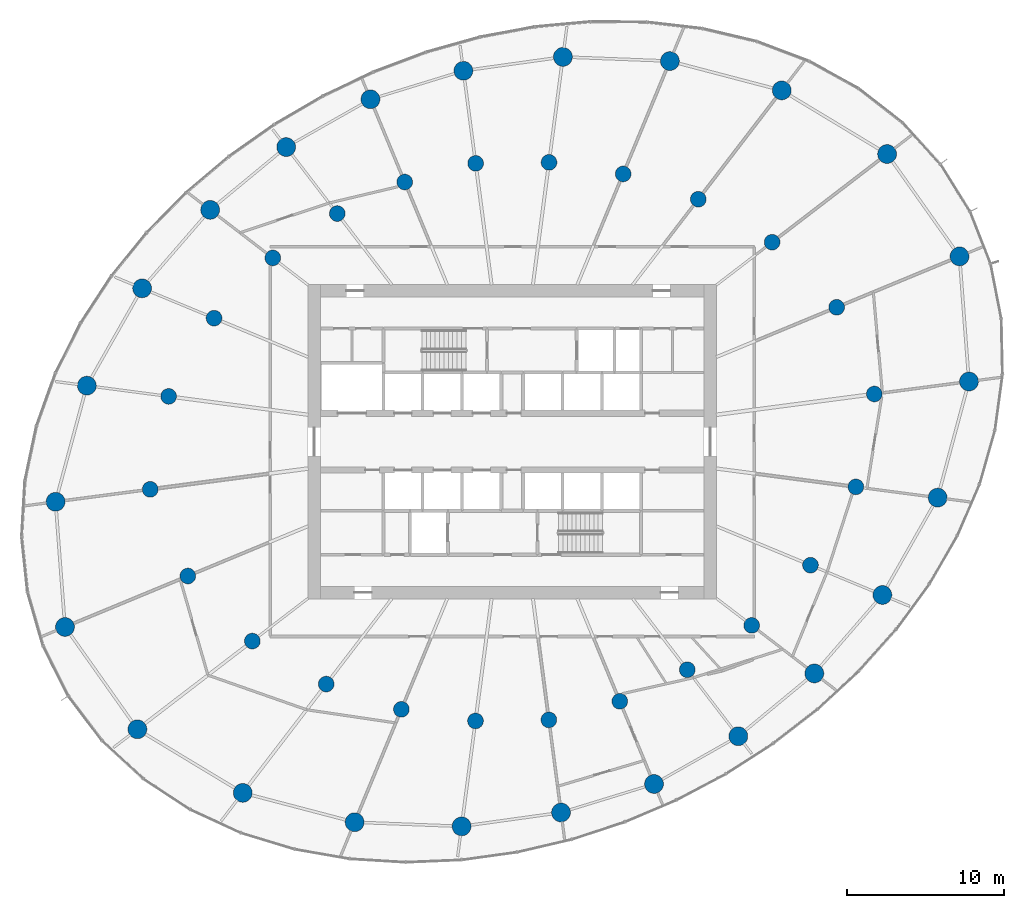
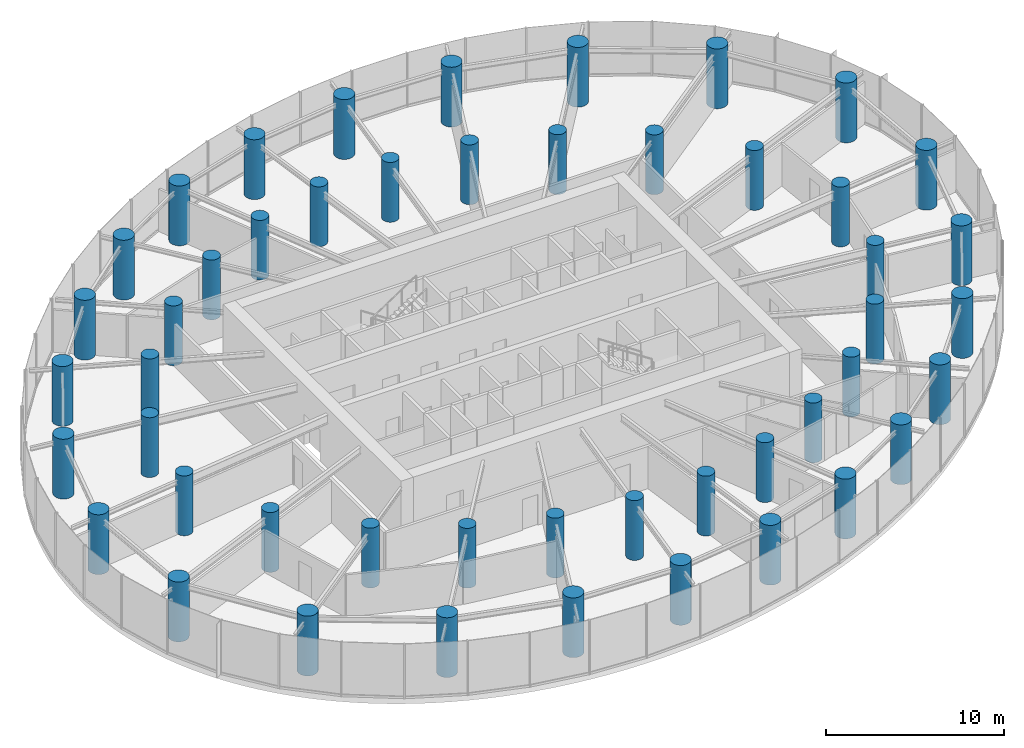
# One storey, part 1 of 17: 48 columns.
"""IFC4 building model written with IfcOpenShell, lengths in metres."""

from ifc_helpers import new_model, si_unit, direction, frame, origin, origin_2d, place, context, subcontext, project, spatial, circle, extrude, source, transform, mapped, material, material_profile, profile_set, type_object, element, save


model = new_model("IFC4")

# Units and contexts
model_context = context("Model", 3, precision=1e-05, world=origin(), true_north=direction((0.0, 1.0)))
body_context = subcontext(model_context, "Body", "Model", "MODEL_VIEW")
ifc_project = project(units=[si_unit("LENGTHUNIT", "METRE"), si_unit("AREAUNIT", "SQUARE_METRE"), si_unit("VOLUMEUNIT", "CUBIC_METRE"), si_unit("PLANEANGLEUNIT", "RADIAN"), si_unit("MASSUNIT", "GRAM", prefix="KILO")], contexts=[model_context])

# Site, building, storey
site_placement = place(None, origin())
site = spatial("IfcSite", under=ifc_project, at=site_placement, CompositionType="ELEMENT")
building_placement = place(site_placement, origin())
building = spatial("IfcBuilding", under=site, at=building_placement, Name="Spindrift Exchange Tower", CompositionType="ELEMENT")
storey_placement = place(building_placement, frame((0.0, 0.0, 104.39990234375)))
storey = spatial("IfcBuildingStorey", under=building, at=storey_placement, Name="L24", CompositionType="ELEMENT", Elevation=104.39990234375)

# Columns
ifc_material = material(Name="Concrete 65 MPa", Category="concrete")
ifc_material_profile_1 = material_profile(ifc_material, circle(Radius=0.60009765625, at=origin_2d()), Name="RC D1200")
ifc_profile_set_1 = profile_set([ifc_material_profile_1], Name="Concrete 65 MPa")
column_type_1 = type_object("IfcColumnType", Name="RC Perimeter Column D1200 Concrete 65 MPa", PredefinedType="COLUMN", material=ifc_profile_set_1)
shared_shape_1 = source(origin(), body_context, "Body", "SweptSolid", [
    extrude(circle(Radius=0.60009765625, at=origin_2d()), origin(), (0.0, 0.0, 1.0), 4.10009765625),
])
for number, where, z_axis, x_axis, name in (
    (1, (81.056396484375, 51.8251953125, 0.0), (0.0, 0.0, 1.0), (1.0, 0.0, 0.0), "Perimeter column P2-01 L24"),
    (2, (80.45556640625, 59.78662109375, 0.0), (0.0, 0.0, 1.0), (1.0, 0.0, 0.0), "Perimeter column P2-02 L24"),
    (3, (75.84814453125, 66.29931640625, 0.0), (0.0, 0.0, 1.0), (1.0, 0.0, 0.0), "Perimeter column P2-03 L24"),
    (4, (69.145751953125, 70.3447265625, 0.0), (0.0, 0.0, 1.0), (1.0, 0.0, 0.0), "Perimeter column P2-04 L24"),
    (5, (62.029052734375, 72.212158203125, 0.0), (0.0, 0.0, 1.0), (1.0, 0.0, 0.0), "Perimeter column P2-05 L24"),
    (6, (55.222412109375, 72.476806640625, 0.0), (0.0, 0.0, 1.0), (1.0, 0.0, 0.0), "Perimeter column P2-06 L24"),
    (7, (48.8935546875, 71.595458984375, 0.0), (0.0, 0.0, 1.0), (1.0, 0.0, 0.0), "Perimeter column P2-07 L24"),
    (8, (42.978271484375, 69.780517578125, 0.0), (0.0, 0.0, 1.0), (1.0, 0.0, 0.0), "Perimeter column P2-08 L24"),
    (9, (37.617919921875, 66.742919921875, 0.0), (0.0, 0.0, 1.0), (1.0, 0.0, 0.0), "Perimeter column P2-09 L24"),
    (10, (32.7802734375, 62.747802734375, 0.0), (0.0, 0.0, 1.0), (1.0, 0.0, 0.0), "Perimeter column P2-10 L24"),
    (11, (28.4521484375, 57.75390625, 0.0), (0.0, 0.0, 1.0), (1.0, 0.0, 0.0), "Perimeter column P2-11 L24"),
    (12, (24.935546875, 51.56298828125, 0.0), (0.0, 0.0, 1.0), (1.0, 0.0, 0.0), "Perimeter column P2-12 L24"),
    (13, (22.943603515625, 44.1748046875, 0.0), (0.0, 0.0, 1.0), (1.0, 0.0, 0.0), "Perimeter column P2-13 L24"),
    (14, (23.54443359375, 36.21337890625, 0.0), (0.0, 0.0, 1.0), (1.0, 0.0, 0.0), "Perimeter column P2-14 L24"),
    (15, (28.15185546875, 29.70068359375, 0.0), (0.0, 0.0, 1.0), (1.0, 0.0, 0.0), "Perimeter column P2-15 L24"),
    (16, (34.854248046875, 25.6552734375, 0.0), (0.0, 0.0, 1.0), (1.0, 0.0, 0.0), "Perimeter column P2-16 L24"),
    (17, (41.970947265625, 23.787841796875, 0.0), (0.0, 0.0, 1.0), (1.0, 0.0, 0.0), "Perimeter column P2-17 L24"),
    (18, (48.777587890625, 23.523193359375, 0.0), (0.0, 0.0, 1.0), (1.0, 0.0, 0.0), "Perimeter column P2-18 L24"),
    (19, (55.1064453125, 24.404541015625, 0.0), (0.0, 0.0, 1.0), (1.0, 0.0, 0.0), "Perimeter column P2-19 L24"),
    (20, (61.021728515625, 26.219482421875, 0.0), (0.0, 0.0, 1.0), (1.0, 0.0, 0.0), "Perimeter column P2-20 L24"),
    (21, (66.382080078125, 29.257080078125, 0.0), (0.0, 0.0, 1.0), (1.0, 0.0, 0.0), "Perimeter column P2-21 L24"),
    (22, (71.2197265625, 33.252197265625, 0.0), (0.0, 0.0, 1.0), (1.0, 0.0, 0.0), "Perimeter column P2-22 L24"),
    (23, (75.5478515625, 38.24609375, 0.0), (0.0, 0.0, 1.0), (1.0, 0.0, 0.0), "Perimeter column P2-23 L24"),
    (24, (79.064453125, 44.43701171875, 0.0), (0.0, 0.0, 1.0), (1.0, 0.0, 0.0), "Perimeter column P2-24 L24"),
):
    element("IfcColumn", number, at=place(storey_placement, frame(where, z_axis=z_axis, x_axis=x_axis)), inside=storey, type_object=column_type_1, Name=name, PredefinedType="COLUMN", context=body_context, shape_type="MappedRepresentation", body=[
        mapped(shared_shape_1, transform((0.0, 0.0, 0.0), scale=1.0)),
    ])
ifc_material_profile_2 = material_profile(ifc_material, circle(Radius=0.5, at=origin_2d()), Name="RC D1000")
ifc_profile_set_2 = profile_set([ifc_material_profile_2], Name="Concrete 65 MPa")
column_type_2 = type_object("IfcColumnType", Name="RC Inner Column D1000 Concrete 65 MPa", PredefinedType="COLUMN", material=ifc_profile_set_2)
shared_shape_2 = source(origin(), body_context, "Body", "SweptSolid", [
    extrude(circle(Radius=0.5, at=origin_2d()), origin(), (0.0, 0.0, 1.0), 4.10009765625),
])
for number, where, z_axis, x_axis, name in (
    (25, (75.033935546875, 51.032470703125, 0.0), (0.0, 0.0, 1.0), (1.0, 0.0, 0.0), "Inner column Q2-01 L24"),
    (26, (72.639404296875, 56.549072265625, 0.0), (0.0, 0.0, 1.0), (1.0, 0.0, 0.0), "Inner column Q2-02 L24"),
    (27, (68.534912109375, 60.6875, 0.0), (0.0, 0.0, 1.0), (1.0, 0.0, 0.0), "Inner column Q2-03 L24"),
    (28, (63.835205078125, 63.423828125, 0.0), (0.0, 0.0, 1.0), (1.0, 0.0, 0.0), "Inner column Q2-04 L24"),
    (29, (59.0546875, 65.03125, 0.0), (0.0, 0.0, 1.0), (1.0, 0.0, 0.0), "Inner column Q2-05 L24"),
    (30, (54.339111328125, 65.767333984375, 0.0), (0.0, 0.0, 1.0), (1.0, 0.0, 0.0), "Inner column Q2-06 L24"),
    (31, (49.669189453125, 65.703125, 0.0), (0.0, 0.0, 1.0), (1.0, 0.0, 0.0), "Inner column Q2-07 L24"),
    (32, (45.158203125, 64.517578125, 0.0), (0.0, 0.0, 1.0), (1.0, 0.0, 0.0), "Inner column Q2-08 L24"),
    (33, (40.8662109375, 62.510009765625, 0.0), (0.0, 0.0, 1.0), (1.0, 0.0, 0.0), "Inner column Q2-09 L24"),
    (34, (36.767578125, 59.688232421875, 0.0), (0.0, 0.0, 1.0), (1.0, 0.0, 0.0), "Inner column Q2-10 L24"),
    (35, (33.027587890625, 55.858642578125, 0.0), (0.0, 0.0, 1.0), (1.0, 0.0, 0.0), "Inner column Q2-11 L24"),
    (36, (30.13671875, 50.87841796875, 0.0), (0.0, 0.0, 1.0), (1.0, 0.0, 0.0), "Inner column Q2-12 L24"),
    (37, (28.966064453125, 44.967529296875, 0.0), (0.0, 0.0, 1.0), (1.0, 0.0, 0.0), "Inner column Q2-13 L24"),
    (38, (31.360595703125, 39.450927734375, 0.0), (0.0, 0.0, 1.0), (1.0, 0.0, 0.0), "Inner column Q2-14 L24"),
    (39, (35.465087890625, 35.3125, 0.0), (0.0, 0.0, 1.0), (1.0, 0.0, 0.0), "Inner column Q2-15 L24"),
    (40, (40.164794921875, 32.576171875, 0.0), (0.0, 0.0, 1.0), (1.0, 0.0, 0.0), "Inner column Q2-16 L24"),
    (41, (44.9453125, 30.96875, 0.0), (0.0, 0.0, 1.0), (1.0, 0.0, 0.0), "Inner column Q2-17 L24"),
    (42, (49.660888671875, 30.232666015625, 0.0), (0.0, 0.0, 1.0), (1.0, 0.0, 0.0), "Inner column Q2-18 L24"),
    (43, (54.330810546875, 30.296875, 0.0), (0.0, 0.0, 1.0), (1.0, 0.0, 0.0), "Inner column Q2-19 L24"),
    (44, (58.841796875, 31.482421875, 0.0), (0.0, 0.0, 1.0), (1.0, 0.0, 0.0), "Inner column Q2-20 L24"),
    (45, (63.1337890625, 33.489990234375, 0.0), (0.0, 0.0, 1.0), (1.0, 0.0, 0.0), "Inner column Q2-21 L24"),
    (46, (67.232421875, 36.311767578125, 0.0), (0.0, 0.0, 1.0), (1.0, 0.0, 0.0), "Inner column Q2-22 L24"),
    (47, (70.972412109375, 40.141357421875, 0.0), (0.0, 0.0, 1.0), (1.0, 0.0, 0.0), "Inner column Q2-23 L24"),
    (48, (73.86328125, 45.12158203125, 0.0), (0.0, 0.0, 1.0), (1.0, 0.0, 0.0), "Inner column Q2-24 L24"),
):
    element("IfcColumn", number, at=place(storey_placement, frame(where, z_axis=z_axis, x_axis=x_axis)), inside=storey, type_object=column_type_2, Name=name, PredefinedType="COLUMN", context=body_context, shape_type="MappedRepresentation", body=[
        mapped(shared_shape_2, transform((0.0, 0.0, 0.0), scale=1.0)),
    ])

save(model, "model.ifc")
